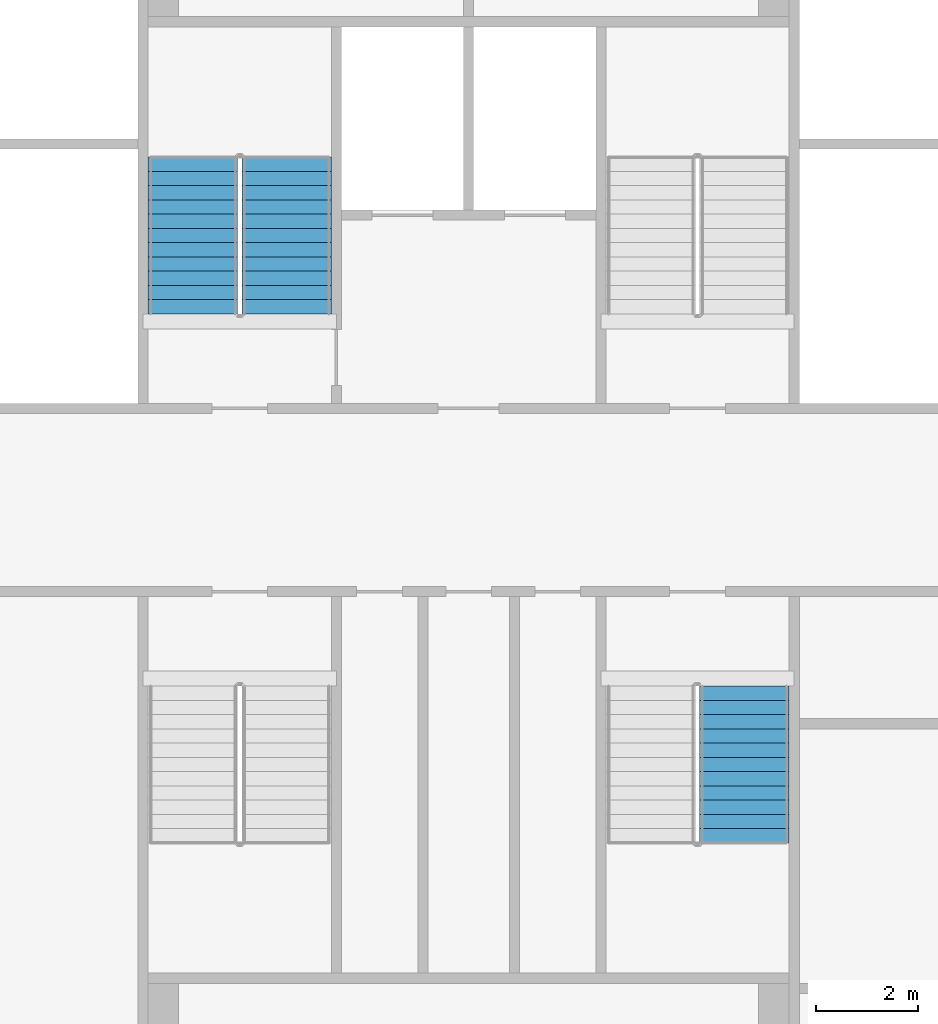
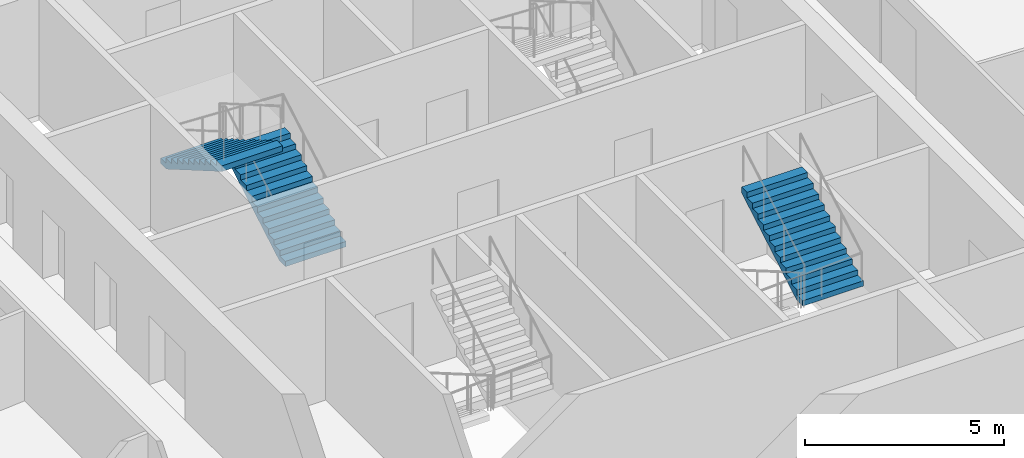
# One storey, part 17 of 23: 3 stair flights, 2 elements without a shape of their own.
"""IFC4 building model written with IfcOpenShell, lengths in metres."""

import ifcopenshell
import ifcopenshell.guid

model = None  # the IFC model being written
_history = None  # IfcOwnerHistory: only IFC2X3 demands one
_inside = {}  # id of a spatial element -> (the spatial element, [elements in it])
_under = {}  # id of a project, library or spatial element -> (it, [spatial elements below it])
_declared = {}  # id of a project -> (the project, [libraries it declares])
_typed = {}  # id of a type object -> (the type object, [elements of that type])
_made_of = {}  # id of a material, layer set ... -> (it, [elements and type objects made of it])


def new_model(schema):
    """Start an empty IFC model of exactly this schema.

    Asked for "IFC4X3", IfcOpenShell would pick the latest addendum, in which some entities
    have other attributes; the version numbers below select the first issue.
    IFC2X3 requires an IfcOwnerHistory on every rooted entity: one is made here for all.
    """
    global model, _history
    if schema == "IFC4X3":
        model = ifcopenshell.file(schema_version=(4, 3, 0, 0))
    else:
        model = ifcopenshell.file(schema=schema)
    _inside.clear()
    _under.clear()
    _declared.clear()
    _typed.clear()
    _made_of.clear()
    _history = None
    if model.schema == "IFC2X3":
        org = make("IfcOrganization", Name="unknown")
        user = make(
            "IfcPersonAndOrganization",
            ThePerson=make("IfcPerson", FamilyName="unknown"),
            TheOrganization=org,
        )
        app = make(
            "IfcApplication",
            ApplicationDeveloper=org,
            Version="unknown",
            ApplicationFullName="unknown",
            ApplicationIdentifier="unknown",
        )
        _history = make(
            "IfcOwnerHistory",
            OwningUser=user,
            OwningApplication=app,
            ChangeAction="ADDED",
            CreationDate=0,
        )
    return model


def make(cls, **values):
    """One entity of the class cls with the attributes given. An attribute that is None is left unset."""
    return model.create_entity(
        cls, **{name: value for name, value in values.items() if value is not None}
    )


def rooted(cls, **values):
    """An entity with a GlobalId (a new one), such as an element, a storey or a relation."""
    return make(cls, GlobalId=ifcopenshell.guid.new(), OwnerHistory=_history, **values)


def si_unit(unit_type, name, prefix=None):
    """IfcSIUnit, for example si_unit("LENGTHUNIT", "METRE", prefix="MILLI")."""
    return make("IfcSIUnit", UnitType=unit_type, Prefix=prefix, Name=name)


def assignment(units):
    """IfcUnitAssignment: the units of a project."""
    return None if units is None else make("IfcUnitAssignment", Units=units)


def point(xyz):
    """IfcCartesianPoint."""
    return None if xyz is None else make("IfcCartesianPoint", Coordinates=xyz)


def direction(xyz):
    """IfcDirection."""
    return None if xyz is None else make("IfcDirection", DirectionRatios=xyz)


def frame(location, z_axis=None, x_axis=None):
    """IfcAxis2Placement3D, a coordinate frame: its origin and axes. An axis left out is left unset."""
    return make(
        "IfcAxis2Placement3D",
        Location=point(location),
        Axis=direction(z_axis),
        RefDirection=direction(x_axis),
    )


def origin():
    """The frame at (0, 0, 0) with its axes left unset."""
    return frame((0.0, 0.0, 0.0))


def place(relative_to, where):
    """IfcLocalPlacement: puts the frame where relative to a parent placement (None: the world)."""
    return make(
        "IfcLocalPlacement", PlacementRelTo=relative_to, RelativePlacement=where
    )


def context(
    kind, dimensions, precision=None, world=None, true_north=None, identifier=None
):
    """IfcGeometricRepresentationContext, for example the 3D "Model" context."""
    return make(
        "IfcGeometricRepresentationContext",
        ContextIdentifier=identifier,
        ContextType=kind,
        CoordinateSpaceDimension=dimensions,
        Precision=precision,
        WorldCoordinateSystem=world,
        TrueNorth=true_north,
    )


def subcontext(parent, identifier, kind, view, scale=None):
    """IfcGeometricRepresentationSubContext, for example "Body" below "Model"."""
    return make(
        "IfcGeometricRepresentationSubContext",
        ContextIdentifier=identifier,
        ContextType=kind,
        ParentContext=parent,
        TargetScale=scale,
        TargetView=view,
    )


def project(units=None, contexts=None):
    """IfcProject with its units and contexts."""
    return rooted(
        "IfcProject",
        Name="project",
        RepresentationContexts=contexts,
        UnitsInContext=assignment(units),
    )


def spatial(cls, under=None, at=None, **own):
    """A site, building, storey or space (cls), placed at a placement, below another one or the project."""
    s = rooted(cls, ObjectPlacement=at, **own)
    if under is not None:
        _under.setdefault(under.id(), (under, []))[1].append(s)
    return s


def faces_of(points, faces, orient=None, outer=None):
    """IfcFace entities. A face is a list of loops; a loop is a list of indices into points, from 0.

    orient and outer hold one flag for each loop. By default every Orientation is true, the
    first loop of a face is its IfcFaceOuterBound and the others are IfcFaceBound.
    """
    made = []
    for i, loops in enumerate(faces):
        bounds = []
        for j, loop in enumerate(loops):
            is_outer = j == 0 if outer is None else outer[i][j]
            bounds.append(
                make(
                    "IfcFaceOuterBound" if is_outer else "IfcFaceBound",
                    Bound=make("IfcPolyLoop", Polygon=[points[k] for k in loop]),
                    Orientation=True if orient is None else orient[i][j],
                )
            )
        made.append(make("IfcFace", Bounds=bounds))
    return made


def faceted_brep(points, faces, orient=None, outer=None, voids=None):
    """IfcFacetedBrep: a solid bounded by flat faces; with voids (closed shells), ...WithVoids."""
    shared = [point(p) for p in points]
    hull = make("IfcClosedShell", CfsFaces=faces_of(shared, faces, orient, outer))
    if voids is None:
        return make("IfcFacetedBrep", Outer=hull)
    return make(
        "IfcFacetedBrepWithVoids",
        Outer=hull,
        Voids=[
            make(cls, CfsFaces=faces_of(shared, fs, o, b)) for cls, fs, o, b in voids
        ],
    )


def shape(context_of_items, identifier, shape_type, items):
    """IfcShapeRepresentation: the items that make up one representation, for example the "Body"."""
    return make(
        "IfcShapeRepresentation",
        ContextOfItems=context_of_items,
        RepresentationIdentifier=identifier,
        RepresentationType=shape_type,
        Items=items,
    )


def material(Name=None, Category=None):
    """IfcMaterial."""
    return make("IfcMaterial", Name=Name, Category=Category)


def made_of(thing, what):
    """Note that an element or type object is made of a material, layer set ...; save() writes the relation."""
    if what is not None:
        _made_of.setdefault(what.id(), (what, []))[1].append(thing)
    return thing


def type_object(cls, material=None, **own):
    """A type object (cls), such as IfcWallType, which elements share."""
    return made_of(rooted(cls, **own), material)


def element(
    cls,
    number,
    at=None,
    inside=None,
    cuts=None,
    type_object=None,
    material=None,
    context=None,
    identifier="Body",
    shape_type=None,
    held_by="IfcProductDefinitionShape",
    body=None,
    shapes=None,
    **own,
):
    """One element of the class cls, such as IfcWall. Its Tag is "e" and its number.

    at: its placement. inside: the storey or other place that contains it. cuts: it is an
    opening in that element (IfcRelVoidsElement). A single representation is given by context,
    identifier, shape_type and body (its items); several are given by shapes. held_by: the class
    of the entity that holds the representations. save() writes the other relations.
    """
    e = rooted(cls, Tag="e%d" % number, ObjectPlacement=at, **own)
    if body is not None:
        shapes = [shape(context, identifier, shape_type, body)]
    if shapes is not None:
        e.Representation = make(held_by, Representations=shapes)
    if inside is not None:
        _inside.setdefault(inside.id(), (inside, []))[1].append(e)
    if cuts is not None:
        rooted(
            "IfcRelVoidsElement", RelatingBuildingElement=cuts, RelatedOpeningElement=e
        )
    if type_object is not None:
        _typed.setdefault(type_object.id(), (type_object, []))[1].append(e)
    return made_of(e, material)


def aggregate(whole, parts):
    """IfcRelAggregates: a whole, such as a stair, and the parts it consists of."""
    return rooted("IfcRelAggregates", RelatingObject=whole, RelatedObjects=parts)


def save(model, path):
    """Write the relations noted so far, then the file.

    IfcRelAggregates (storeys below a building ...), IfcRelContainedInSpatialStructure (elements
    in a storey), IfcRelDefinesByType, IfcRelAssociatesMaterial and IfcRelDeclares: one each for
    every whole, place, type object, material and project.
    """
    for whole, parts in _under.values():
        aggregate(whole, parts)
    for where, things in _inside.values():
        rooted(
            "IfcRelContainedInSpatialStructure",
            RelatedElements=things,
            RelatingStructure=where,
        )
    for kind, things in _typed.values():
        rooted("IfcRelDefinesByType", RelatedObjects=things, RelatingType=kind)
    for what, things in _made_of.values():
        rooted("IfcRelAssociatesMaterial", RelatedObjects=things, RelatingMaterial=what)
    for by, libraries in _declared.values():
        rooted("IfcRelDeclares", RelatingContext=by, RelatedDefinitions=libraries)
    model.write(path)


model = new_model("IFC4")

# Units and contexts
model_context = context("Model", 3, precision=1e-05, world=origin(), true_north=direction((0.0, 1.0)))
body_context = subcontext(model_context, "Body", "Model", "MODEL_VIEW")
ifc_project = project(units=[si_unit("LENGTHUNIT", "METRE"), si_unit("AREAUNIT", "SQUARE_METRE"), si_unit("VOLUMEUNIT", "CUBIC_METRE"), si_unit("PLANEANGLEUNIT", "RADIAN"), si_unit("MASSUNIT", "GRAM", prefix="KILO")], contexts=[model_context])

# Site, building, storey
site_placement = place(None, origin())
site = spatial("IfcSite", under=ifc_project, at=site_placement, CompositionType="ELEMENT")
building_placement = place(site_placement, origin())
building = spatial("IfcBuilding", under=site, at=building_placement, Name="Tarsis Ring Headquarters", CompositionType="ELEMENT")
storey_placement = place(building_placement, frame((0.0, 0.0, 308.0)))
storey = spatial("IfcBuildingStorey", under=building, at=storey_placement, Name="L72", CompositionType="ELEMENT", Elevation=308.0)

# Stair, stair flights
ifc_material_1 = material(Name="Core stair 1760")
stair_type = type_object("IfcStairType", Name="Core stair 1760", PredefinedType="HALF_TURN_STAIR", material=ifc_material_1)
stair_1_placement = place(storey_placement, origin())
stair_1 = element("IfcStair", 1, at=stair_1_placement, inside=storey, type_object=stair_type, Name="L72 Firefighting stair", PredefinedType="HALF_TURN_STAIR")
ifc_material_2 = material(Name="Concrete C40/50", Category="concrete")
stair_flight_type = type_object("IfcStairFlightType", Name="Core stair flight 1760", PredefinedType="STRAIGHT", material=ifc_material_2)
stair_flight_1_placement = place(storey_placement, frame((-3.580078125, 3.659912109375, 0.0), z_axis=(0.0, 0.0, 1.0), x_axis=(0.0, 1.0, 0.0)))
stair_flight_1 = element("IfcStairFlight", 2, at=stair_flight_1_placement, type_object=stair_flight_type, Name="Stair ST1 flight 1", NumberOfRisers=12, NumberOfTreads=11, PredefinedType="STRAIGHT", RiserHeight=0.1625, TreadLength=0.28, context=body_context, shape_type="Brep", body=[
    faceted_brep([(0.0, 0.8798828125, 0.0), (0.0, 0.8798828125, 0.16259765625), (0.280029296875, 0.8798828125, 0.16259765625), (0.280029296875, 0.8798828125, 0.324951171875), (0.56005859375, 0.8798828125, 0.324951171875), (0.56005859375, 0.8798828125, 0.487548828125), (0.840087890625, 0.8798828125, 0.487548828125), (0.840087890625, 0.8798828125, 0.64990234375), (1.1201171875, 0.8798828125, 0.64990234375), (1.1201171875, 0.8798828125, 0.8125), (1.39990234375, 0.8798828125, 0.8125), (1.39990234375, 0.8798828125, 0.97509765625), (1.679931640625, 0.8798828125, 0.97509765625), (1.679931640625, 0.8798828125, 1.137451171875), (1.9599609375, 0.8798828125, 1.137451171875), (1.9599609375, 0.8798828125, 1.300048828125), (2.239990234375, 0.8798828125, 1.300048828125), (2.239990234375, 0.8798828125, 1.46240234375), (2.52001953125, 0.8798828125, 1.46240234375), (2.52001953125, 0.8798828125, 1.625), (2.800048828125, 0.8798828125, 1.625), (2.800048828125, 0.8798828125, 1.78759765625), (3.080078125, 0.8798828125, 1.78759765625), (3.080078125, 0.8798828125, 1.6142578125), (0.298583984375, 0.8798828125, 0.0), (0.298583984375, -0.8798828125, 0.0), (3.080078125, -0.8798828125, 1.6142578125), (3.080078125, -0.8798828125, 1.78759765625), (2.800048828125, -0.8798828125, 1.78759765625), (2.800048828125, -0.8798828125, 1.625), (2.52001953125, -0.8798828125, 1.625), (2.52001953125, -0.8798828125, 1.46240234375), (2.239990234375, -0.8798828125, 1.46240234375), (2.239990234375, -0.8798828125, 1.300048828125), (1.9599609375, -0.8798828125, 1.300048828125), (1.9599609375, -0.8798828125, 1.137451171875), (1.679931640625, -0.8798828125, 1.137451171875), (1.679931640625, -0.8798828125, 0.97509765625), (1.39990234375, -0.8798828125, 0.97509765625), (1.39990234375, -0.8798828125, 0.8125), (1.1201171875, -0.8798828125, 0.8125), (1.1201171875, -0.8798828125, 0.64990234375), (0.840087890625, -0.8798828125, 0.64990234375), (0.840087890625, -0.8798828125, 0.487548828125), (0.56005859375, -0.8798828125, 0.487548828125), (0.56005859375, -0.8798828125, 0.324951171875), (0.280029296875, -0.8798828125, 0.324951171875), (0.280029296875, -0.8798828125, 0.16259765625), (0.0, -0.8798828125, 0.16259765625), (0.0, -0.8798828125, 0.0), (0.0, -0.43994140625, 0.16259765625), (0.0, -0.43994140625, 0.0), (0.0, 0.0, 0.16259765625), (0.0, 0.0, 0.0), (0.0, 0.43994140625, 0.16259765625), (0.0, 0.43994140625, 0.0), (0.280029296875, -0.43994140625, 0.16259765625), (0.280029296875, 0.0, 0.16259765625), (0.280029296875, 0.43994140625, 0.16259765625), (0.280029296875, -0.43994140625, 0.324951171875), (0.280029296875, 0.0, 0.324951171875), (0.280029296875, 0.43994140625, 0.324951171875), (0.56005859375, -0.43994140625, 0.324951171875), (0.56005859375, 0.0, 0.324951171875), (0.56005859375, 0.43994140625, 0.324951171875), (0.56005859375, -0.43994140625, 0.487548828125), (0.56005859375, 0.0, 0.487548828125), (0.56005859375, 0.43994140625, 0.487548828125), (0.840087890625, -0.43994140625, 0.487548828125), (0.840087890625, 0.0, 0.487548828125), (0.840087890625, 0.43994140625, 0.487548828125), (0.840087890625, -0.43994140625, 0.64990234375), (0.840087890625, 0.0, 0.64990234375), (0.840087890625, 0.43994140625, 0.64990234375), (1.1201171875, -0.43994140625, 0.64990234375), (1.1201171875, 0.0, 0.64990234375), (1.1201171875, 0.43994140625, 0.64990234375), (1.1201171875, -0.43994140625, 0.8125), (1.1201171875, 0.0, 0.8125), (1.1201171875, 0.43994140625, 0.8125), (1.39990234375, -0.43994140625, 0.8125), (1.39990234375, 0.0, 0.8125), (1.39990234375, 0.43994140625, 0.8125), (1.39990234375, -0.43994140625, 0.97509765625), (1.39990234375, 0.0, 0.97509765625), (1.39990234375, 0.43994140625, 0.97509765625), (1.679931640625, -0.43994140625, 0.97509765625), (1.679931640625, 0.0, 0.97509765625), (1.679931640625, 0.43994140625, 0.97509765625), (1.679931640625, -0.43994140625, 1.137451171875), (1.679931640625, 0.0, 1.137451171875), (1.679931640625, 0.43994140625, 1.137451171875), (1.9599609375, -0.43994140625, 1.137451171875), (1.9599609375, 0.0, 1.137451171875), (1.9599609375, 0.43994140625, 1.137451171875), (1.9599609375, -0.43994140625, 1.300048828125), (1.9599609375, 0.0, 1.300048828125), (1.9599609375, 0.43994140625, 1.300048828125), (2.239990234375, -0.43994140625, 1.300048828125), (2.239990234375, 0.0, 1.300048828125), (2.239990234375, 0.43994140625, 1.300048828125), (2.239990234375, -0.43994140625, 1.46240234375), (2.239990234375, 0.0, 1.46240234375), (2.239990234375, 0.43994140625, 1.46240234375), (2.52001953125, -0.43994140625, 1.46240234375), (2.52001953125, 0.0, 1.46240234375), (2.52001953125, 0.43994140625, 1.46240234375), (2.52001953125, -0.43994140625, 1.625), (2.52001953125, 0.0, 1.625), (2.52001953125, 0.43994140625, 1.625), (2.800048828125, -0.43994140625, 1.625), (2.800048828125, 0.0, 1.625), (2.800048828125, 0.43994140625, 1.625), (2.800048828125, -0.43994140625, 1.78759765625), (2.800048828125, 0.0, 1.78759765625), (2.800048828125, 0.43994140625, 1.78759765625), (3.080078125, -0.43994140625, 1.78759765625), (3.080078125, 0.0, 1.78759765625), (3.080078125, 0.43994140625, 1.78759765625), (3.080078125, -0.43994140625, 1.6142578125), (3.080078125, 0.0, 1.6142578125), (3.080078125, 0.43994140625, 1.6142578125), (0.298583984375, -0.43994140625, 0.0), (0.298583984375, 0.0, 0.0), (0.298583984375, 0.43994140625, 0.0)], [[[0, 1, 2, 3, 4, 5, 6, 7, 8, 9, 10, 11, 12, 13, 14, 15, 16, 17, 18, 19, 20, 21, 22, 23, 24]], [[25, 26, 27, 28, 29, 30, 31, 32, 33, 34, 35, 36, 37, 38, 39, 40, 41, 42, 43, 44, 45, 46, 47, 48, 49]], [[49, 48, 50, 51]], [[51, 50, 52, 53]], [[53, 52, 54, 55]], [[55, 54, 1, 0]], [[48, 47, 56, 50]], [[50, 56, 57, 52]], [[52, 57, 58, 54]], [[54, 58, 2, 1]], [[47, 46, 59, 56]], [[56, 59, 60, 57]], [[57, 60, 61, 58]], [[58, 61, 3, 2]], [[46, 45, 62, 59]], [[59, 62, 63, 60]], [[60, 63, 64, 61]], [[61, 64, 4, 3]], [[45, 44, 65, 62]], [[62, 65, 66, 63]], [[63, 66, 67, 64]], [[64, 67, 5, 4]], [[44, 43, 68, 65]], [[65, 68, 69, 66]], [[66, 69, 70, 67]], [[67, 70, 6, 5]], [[43, 42, 71, 68]], [[68, 71, 72, 69]], [[69, 72, 73, 70]], [[70, 73, 7, 6]], [[42, 41, 74, 71]], [[71, 74, 75, 72]], [[72, 75, 76, 73]], [[73, 76, 8, 7]], [[41, 40, 77, 74]], [[74, 77, 78, 75]], [[75, 78, 79, 76]], [[76, 79, 9, 8]], [[40, 39, 80, 77]], [[77, 80, 81, 78]], [[78, 81, 82, 79]], [[79, 82, 10, 9]], [[39, 38, 83, 80]], [[80, 83, 84, 81]], [[81, 84, 85, 82]], [[82, 85, 11, 10]], [[38, 37, 86, 83]], [[83, 86, 87, 84]], [[84, 87, 88, 85]], [[85, 88, 12, 11]], [[37, 36, 89, 86]], [[86, 89, 90, 87]], [[87, 90, 91, 88]], [[88, 91, 13, 12]], [[36, 35, 92, 89]], [[89, 92, 93, 90]], [[90, 93, 94, 91]], [[91, 94, 14, 13]], [[35, 34, 95, 92]], [[92, 95, 96, 93]], [[93, 96, 97, 94]], [[94, 97, 15, 14]], [[34, 33, 98, 95]], [[95, 98, 99, 96]], [[96, 99, 100, 97]], [[97, 100, 16, 15]], [[33, 32, 101, 98]], [[98, 101, 102, 99]], [[99, 102, 103, 100]], [[100, 103, 17, 16]], [[32, 31, 104, 101]], [[101, 104, 105, 102]], [[102, 105, 106, 103]], [[103, 106, 18, 17]], [[31, 30, 107, 104]], [[104, 107, 108, 105]], [[105, 108, 109, 106]], [[106, 109, 19, 18]], [[30, 29, 110, 107]], [[107, 110, 111, 108]], [[108, 111, 112, 109]], [[109, 112, 20, 19]], [[29, 28, 113, 110]], [[110, 113, 114, 111]], [[111, 114, 115, 112]], [[112, 115, 21, 20]], [[28, 27, 116, 113]], [[113, 116, 117, 114]], [[114, 117, 118, 115]], [[115, 118, 22, 21]], [[27, 26, 119, 116]], [[116, 119, 120, 117]], [[117, 120, 121, 118]], [[118, 121, 23, 22]], [[26, 25, 122, 119]], [[119, 122, 123, 120]], [[120, 123, 124, 121]], [[121, 124, 24, 23]], [[25, 49, 51, 122]], [[122, 51, 53, 123]], [[123, 53, 55, 124]], [[124, 55, 0, 24]]]),
])
stair_flight_2_placement = place(storey_placement, frame((-5.419921875, 6.739990234375, 1.949951171875), z_axis=(0.0, 0.0, 1.0), x_axis=(0.0, -1.0, 0.0)))
stair_flight_2 = element("IfcStairFlight", 3, at=stair_flight_2_placement, type_object=stair_flight_type, Name="Stair ST1 flight 2", NumberOfRisers=12, NumberOfTreads=11, PredefinedType="STRAIGHT", RiserHeight=0.1625, TreadLength=0.28, context=body_context, shape_type="Brep", body=[
    faceted_brep([(0.0, 0.8798828125, 0.0), (0.0, 0.8798828125, 0.16259765625), (0.280029296875, 0.8798828125, 0.16259765625), (0.280029296875, 0.8798828125, 0.324951171875), (0.56005859375, 0.8798828125, 0.324951171875), (0.56005859375, 0.8798828125, 0.487548828125), (0.840087890625, 0.8798828125, 0.487548828125), (0.840087890625, 0.8798828125, 0.64990234375), (1.1201171875, 0.8798828125, 0.64990234375), (1.1201171875, 0.8798828125, 0.8125), (1.39990234375, 0.8798828125, 0.8125), (1.39990234375, 0.8798828125, 0.97509765625), (1.679931640625, 0.8798828125, 0.97509765625), (1.679931640625, 0.8798828125, 1.137451171875), (1.9599609375, 0.8798828125, 1.137451171875), (1.9599609375, 0.8798828125, 1.300048828125), (2.239990234375, 0.8798828125, 1.300048828125), (2.239990234375, 0.8798828125, 1.46240234375), (2.52001953125, 0.8798828125, 1.46240234375), (2.52001953125, 0.8798828125, 1.625), (2.800048828125, 0.8798828125, 1.625), (2.800048828125, 0.8798828125, 1.78759765625), (3.080078125, 0.8798828125, 1.78759765625), (3.080078125, 0.8798828125, 1.6142578125), (0.298583984375, 0.8798828125, 0.0), (0.298583984375, -0.8798828125, 0.0), (3.080078125, -0.8798828125, 1.6142578125), (3.080078125, -0.8798828125, 1.78759765625), (2.800048828125, -0.8798828125, 1.78759765625), (2.800048828125, -0.8798828125, 1.625), (2.52001953125, -0.8798828125, 1.625), (2.52001953125, -0.8798828125, 1.46240234375), (2.239990234375, -0.8798828125, 1.46240234375), (2.239990234375, -0.8798828125, 1.300048828125), (1.9599609375, -0.8798828125, 1.300048828125), (1.9599609375, -0.8798828125, 1.137451171875), (1.679931640625, -0.8798828125, 1.137451171875), (1.679931640625, -0.8798828125, 0.97509765625), (1.39990234375, -0.8798828125, 0.97509765625), (1.39990234375, -0.8798828125, 0.8125), (1.1201171875, -0.8798828125, 0.8125), (1.1201171875, -0.8798828125, 0.64990234375), (0.840087890625, -0.8798828125, 0.64990234375), (0.840087890625, -0.8798828125, 0.487548828125), (0.56005859375, -0.8798828125, 0.487548828125), (0.56005859375, -0.8798828125, 0.324951171875), (0.280029296875, -0.8798828125, 0.324951171875), (0.280029296875, -0.8798828125, 0.16259765625), (0.0, -0.8798828125, 0.16259765625), (0.0, -0.8798828125, 0.0), (0.0, -0.43994140625, 0.16259765625), (0.0, -0.43994140625, 0.0), (0.0, 0.0, 0.16259765625), (0.0, 0.0, 0.0), (0.0, 0.43994140625, 0.16259765625), (0.0, 0.43994140625, 0.0), (0.280029296875, -0.43994140625, 0.16259765625), (0.280029296875, 0.0, 0.16259765625), (0.280029296875, 0.43994140625, 0.16259765625), (0.280029296875, -0.43994140625, 0.324951171875), (0.280029296875, 0.0, 0.324951171875), (0.280029296875, 0.43994140625, 0.324951171875), (0.56005859375, -0.43994140625, 0.324951171875), (0.56005859375, 0.0, 0.324951171875), (0.56005859375, 0.43994140625, 0.324951171875), (0.56005859375, -0.43994140625, 0.487548828125), (0.56005859375, 0.0, 0.487548828125), (0.56005859375, 0.43994140625, 0.487548828125), (0.840087890625, -0.43994140625, 0.487548828125), (0.840087890625, 0.0, 0.487548828125), (0.840087890625, 0.43994140625, 0.487548828125), (0.840087890625, -0.43994140625, 0.64990234375), (0.840087890625, 0.0, 0.64990234375), (0.840087890625, 0.43994140625, 0.64990234375), (1.1201171875, -0.43994140625, 0.64990234375), (1.1201171875, 0.0, 0.64990234375), (1.1201171875, 0.43994140625, 0.64990234375), (1.1201171875, -0.43994140625, 0.8125), (1.1201171875, 0.0, 0.8125), (1.1201171875, 0.43994140625, 0.8125), (1.39990234375, -0.43994140625, 0.8125), (1.39990234375, 0.0, 0.8125), (1.39990234375, 0.43994140625, 0.8125), (1.39990234375, -0.43994140625, 0.97509765625), (1.39990234375, 0.0, 0.97509765625), (1.39990234375, 0.43994140625, 0.97509765625), (1.679931640625, -0.43994140625, 0.97509765625), (1.679931640625, 0.0, 0.97509765625), (1.679931640625, 0.43994140625, 0.97509765625), (1.679931640625, -0.43994140625, 1.137451171875), (1.679931640625, 0.0, 1.137451171875), (1.679931640625, 0.43994140625, 1.137451171875), (1.9599609375, -0.43994140625, 1.137451171875), (1.9599609375, 0.0, 1.137451171875), (1.9599609375, 0.43994140625, 1.137451171875), (1.9599609375, -0.43994140625, 1.300048828125), (1.9599609375, 0.0, 1.300048828125), (1.9599609375, 0.43994140625, 1.300048828125), (2.239990234375, -0.43994140625, 1.300048828125), (2.239990234375, 0.0, 1.300048828125), (2.239990234375, 0.43994140625, 1.300048828125), (2.239990234375, -0.43994140625, 1.46240234375), (2.239990234375, 0.0, 1.46240234375), (2.239990234375, 0.43994140625, 1.46240234375), (2.52001953125, -0.43994140625, 1.46240234375), (2.52001953125, 0.0, 1.46240234375), (2.52001953125, 0.43994140625, 1.46240234375), (2.52001953125, -0.43994140625, 1.625), (2.52001953125, 0.0, 1.625), (2.52001953125, 0.43994140625, 1.625), (2.800048828125, -0.43994140625, 1.625), (2.800048828125, 0.0, 1.625), (2.800048828125, 0.43994140625, 1.625), (2.800048828125, -0.43994140625, 1.78759765625), (2.800048828125, 0.0, 1.78759765625), (2.800048828125, 0.43994140625, 1.78759765625), (3.080078125, -0.43994140625, 1.78759765625), (3.080078125, 0.0, 1.78759765625), (3.080078125, 0.43994140625, 1.78759765625), (3.080078125, -0.43994140625, 1.6142578125), (3.080078125, 0.0, 1.6142578125), (3.080078125, 0.43994140625, 1.6142578125), (0.298583984375, -0.43994140625, 0.0), (0.298583984375, 0.0, 0.0), (0.298583984375, 0.43994140625, 0.0)], [[[0, 1, 2, 3, 4, 5, 6, 7, 8, 9, 10, 11, 12, 13, 14, 15, 16, 17, 18, 19, 20, 21, 22, 23, 24]], [[25, 26, 27, 28, 29, 30, 31, 32, 33, 34, 35, 36, 37, 38, 39, 40, 41, 42, 43, 44, 45, 46, 47, 48, 49]], [[49, 48, 50, 51]], [[51, 50, 52, 53]], [[53, 52, 54, 55]], [[55, 54, 1, 0]], [[48, 47, 56, 50]], [[50, 56, 57, 52]], [[52, 57, 58, 54]], [[54, 58, 2, 1]], [[47, 46, 59, 56]], [[56, 59, 60, 57]], [[57, 60, 61, 58]], [[58, 61, 3, 2]], [[46, 45, 62, 59]], [[59, 62, 63, 60]], [[60, 63, 64, 61]], [[61, 64, 4, 3]], [[45, 44, 65, 62]], [[62, 65, 66, 63]], [[63, 66, 67, 64]], [[64, 67, 5, 4]], [[44, 43, 68, 65]], [[65, 68, 69, 66]], [[66, 69, 70, 67]], [[67, 70, 6, 5]], [[43, 42, 71, 68]], [[68, 71, 72, 69]], [[69, 72, 73, 70]], [[70, 73, 7, 6]], [[42, 41, 74, 71]], [[71, 74, 75, 72]], [[72, 75, 76, 73]], [[73, 76, 8, 7]], [[41, 40, 77, 74]], [[74, 77, 78, 75]], [[75, 78, 79, 76]], [[76, 79, 9, 8]], [[40, 39, 80, 77]], [[77, 80, 81, 78]], [[78, 81, 82, 79]], [[79, 82, 10, 9]], [[39, 38, 83, 80]], [[80, 83, 84, 81]], [[81, 84, 85, 82]], [[82, 85, 11, 10]], [[38, 37, 86, 83]], [[83, 86, 87, 84]], [[84, 87, 88, 85]], [[85, 88, 12, 11]], [[37, 36, 89, 86]], [[86, 89, 90, 87]], [[87, 90, 91, 88]], [[88, 91, 13, 12]], [[36, 35, 92, 89]], [[89, 92, 93, 90]], [[90, 93, 94, 91]], [[91, 94, 14, 13]], [[35, 34, 95, 92]], [[92, 95, 96, 93]], [[93, 96, 97, 94]], [[94, 97, 15, 14]], [[34, 33, 98, 95]], [[95, 98, 99, 96]], [[96, 99, 100, 97]], [[97, 100, 16, 15]], [[33, 32, 101, 98]], [[98, 101, 102, 99]], [[99, 102, 103, 100]], [[100, 103, 17, 16]], [[32, 31, 104, 101]], [[101, 104, 105, 102]], [[102, 105, 106, 103]], [[103, 106, 18, 17]], [[31, 30, 107, 104]], [[104, 107, 108, 105]], [[105, 108, 109, 106]], [[106, 109, 19, 18]], [[30, 29, 110, 107]], [[107, 110, 111, 108]], [[108, 111, 112, 109]], [[109, 112, 20, 19]], [[29, 28, 113, 110]], [[110, 113, 114, 111]], [[111, 114, 115, 112]], [[112, 115, 21, 20]], [[28, 27, 116, 113]], [[113, 116, 117, 114]], [[114, 117, 118, 115]], [[115, 118, 22, 21]], [[27, 26, 119, 116]], [[116, 119, 120, 117]], [[117, 120, 121, 118]], [[118, 121, 23, 22]], [[26, 25, 122, 119]], [[119, 122, 123, 120]], [[120, 123, 124, 121]], [[121, 124, 24, 23]], [[25, 49, 51, 122]], [[122, 51, 53, 123]], [[123, 53, 55, 124]], [[124, 55, 0, 24]]]),
])
aggregate(stair_1, [stair_flight_1, stair_flight_2])

# Stair, stair flight
stair_2_placement = place(storey_placement, origin())
stair_2 = element("IfcStair", 4, at=stair_2_placement, inside=storey, type_object=stair_type, Name="L72 Exit stair D", PredefinedType="HALF_TURN_STAIR")
stair_flight_3_placement = place(storey_placement, frame((5.419921875, -6.739990234375, 1.949951171875), z_axis=(0.0, 0.0, 1.0), x_axis=(0.0, 1.0, 0.0)))
stair_flight_3 = element("IfcStairFlight", 5, at=stair_flight_3_placement, type_object=stair_flight_type, Name="Stair ST4 flight 2", NumberOfRisers=12, NumberOfTreads=11, PredefinedType="STRAIGHT", RiserHeight=0.1625, TreadLength=0.28, context=body_context, shape_type="Brep", body=[
    faceted_brep([(0.0, 0.8798828125, 0.0), (0.0, 0.8798828125, 0.16259765625), (0.280029296875, 0.8798828125, 0.16259765625), (0.280029296875, 0.8798828125, 0.324951171875), (0.56005859375, 0.8798828125, 0.324951171875), (0.56005859375, 0.8798828125, 0.487548828125), (0.840087890625, 0.8798828125, 0.487548828125), (0.840087890625, 0.8798828125, 0.64990234375), (1.1201171875, 0.8798828125, 0.64990234375), (1.1201171875, 0.8798828125, 0.8125), (1.39990234375, 0.8798828125, 0.8125), (1.39990234375, 0.8798828125, 0.97509765625), (1.679931640625, 0.8798828125, 0.97509765625), (1.679931640625, 0.8798828125, 1.137451171875), (1.9599609375, 0.8798828125, 1.137451171875), (1.9599609375, 0.8798828125, 1.300048828125), (2.239990234375, 0.8798828125, 1.300048828125), (2.239990234375, 0.8798828125, 1.46240234375), (2.52001953125, 0.8798828125, 1.46240234375), (2.52001953125, 0.8798828125, 1.625), (2.800048828125, 0.8798828125, 1.625), (2.800048828125, 0.8798828125, 1.78759765625), (3.080078125, 0.8798828125, 1.78759765625), (3.080078125, 0.8798828125, 1.6142578125), (0.298583984375, 0.8798828125, 0.0), (0.298583984375, -0.8798828125, 0.0), (3.080078125, -0.8798828125, 1.6142578125), (3.080078125, -0.8798828125, 1.78759765625), (2.800048828125, -0.8798828125, 1.78759765625), (2.800048828125, -0.8798828125, 1.625), (2.52001953125, -0.8798828125, 1.625), (2.52001953125, -0.8798828125, 1.46240234375), (2.239990234375, -0.8798828125, 1.46240234375), (2.239990234375, -0.8798828125, 1.300048828125), (1.9599609375, -0.8798828125, 1.300048828125), (1.9599609375, -0.8798828125, 1.137451171875), (1.679931640625, -0.8798828125, 1.137451171875), (1.679931640625, -0.8798828125, 0.97509765625), (1.39990234375, -0.8798828125, 0.97509765625), (1.39990234375, -0.8798828125, 0.8125), (1.1201171875, -0.8798828125, 0.8125), (1.1201171875, -0.8798828125, 0.64990234375), (0.840087890625, -0.8798828125, 0.64990234375), (0.840087890625, -0.8798828125, 0.487548828125), (0.56005859375, -0.8798828125, 0.487548828125), (0.56005859375, -0.8798828125, 0.324951171875), (0.280029296875, -0.8798828125, 0.324951171875), (0.280029296875, -0.8798828125, 0.16259765625), (0.0, -0.8798828125, 0.16259765625), (0.0, -0.8798828125, 0.0), (0.0, -0.43994140625, 0.16259765625), (0.0, -0.43994140625, 0.0), (0.0, 0.0, 0.16259765625), (0.0, 0.0, 0.0), (0.0, 0.43994140625, 0.16259765625), (0.0, 0.43994140625, 0.0), (0.280029296875, -0.43994140625, 0.16259765625), (0.280029296875, 0.0, 0.16259765625), (0.280029296875, 0.43994140625, 0.16259765625), (0.280029296875, -0.43994140625, 0.324951171875), (0.280029296875, 0.0, 0.324951171875), (0.280029296875, 0.43994140625, 0.324951171875), (0.56005859375, -0.43994140625, 0.324951171875), (0.56005859375, 0.0, 0.324951171875), (0.56005859375, 0.43994140625, 0.324951171875), (0.56005859375, -0.43994140625, 0.487548828125), (0.56005859375, 0.0, 0.487548828125), (0.56005859375, 0.43994140625, 0.487548828125), (0.840087890625, -0.43994140625, 0.487548828125), (0.840087890625, 0.0, 0.487548828125), (0.840087890625, 0.43994140625, 0.487548828125), (0.840087890625, -0.43994140625, 0.64990234375), (0.840087890625, 0.0, 0.64990234375), (0.840087890625, 0.43994140625, 0.64990234375), (1.1201171875, -0.43994140625, 0.64990234375), (1.1201171875, 0.0, 0.64990234375), (1.1201171875, 0.43994140625, 0.64990234375), (1.1201171875, -0.43994140625, 0.8125), (1.1201171875, 0.0, 0.8125), (1.1201171875, 0.43994140625, 0.8125), (1.39990234375, -0.43994140625, 0.8125), (1.39990234375, 0.0, 0.8125), (1.39990234375, 0.43994140625, 0.8125), (1.39990234375, -0.43994140625, 0.97509765625), (1.39990234375, 0.0, 0.97509765625), (1.39990234375, 0.43994140625, 0.97509765625), (1.679931640625, -0.43994140625, 0.97509765625), (1.679931640625, 0.0, 0.97509765625), (1.679931640625, 0.43994140625, 0.97509765625), (1.679931640625, -0.43994140625, 1.137451171875), (1.679931640625, 0.0, 1.137451171875), (1.679931640625, 0.43994140625, 1.137451171875), (1.9599609375, -0.43994140625, 1.137451171875), (1.9599609375, 0.0, 1.137451171875), (1.9599609375, 0.43994140625, 1.137451171875), (1.9599609375, -0.43994140625, 1.300048828125), (1.9599609375, 0.0, 1.300048828125), (1.9599609375, 0.43994140625, 1.300048828125), (2.239990234375, -0.43994140625, 1.300048828125), (2.239990234375, 0.0, 1.300048828125), (2.239990234375, 0.43994140625, 1.300048828125), (2.239990234375, -0.43994140625, 1.46240234375), (2.239990234375, 0.0, 1.46240234375), (2.239990234375, 0.43994140625, 1.46240234375), (2.52001953125, -0.43994140625, 1.46240234375), (2.52001953125, 0.0, 1.46240234375), (2.52001953125, 0.43994140625, 1.46240234375), (2.52001953125, -0.43994140625, 1.625), (2.52001953125, 0.0, 1.625), (2.52001953125, 0.43994140625, 1.625), (2.800048828125, -0.43994140625, 1.625), (2.800048828125, 0.0, 1.625), (2.800048828125, 0.43994140625, 1.625), (2.800048828125, -0.43994140625, 1.78759765625), (2.800048828125, 0.0, 1.78759765625), (2.800048828125, 0.43994140625, 1.78759765625), (3.080078125, -0.43994140625, 1.78759765625), (3.080078125, 0.0, 1.78759765625), (3.080078125, 0.43994140625, 1.78759765625), (3.080078125, -0.43994140625, 1.6142578125), (3.080078125, 0.0, 1.6142578125), (3.080078125, 0.43994140625, 1.6142578125), (0.298583984375, -0.43994140625, 0.0), (0.298583984375, 0.0, 0.0), (0.298583984375, 0.43994140625, 0.0)], [[[0, 1, 2, 3, 4, 5, 6, 7, 8, 9, 10, 11, 12, 13, 14, 15, 16, 17, 18, 19, 20, 21, 22, 23, 24]], [[25, 26, 27, 28, 29, 30, 31, 32, 33, 34, 35, 36, 37, 38, 39, 40, 41, 42, 43, 44, 45, 46, 47, 48, 49]], [[49, 48, 50, 51]], [[51, 50, 52, 53]], [[53, 52, 54, 55]], [[55, 54, 1, 0]], [[48, 47, 56, 50]], [[50, 56, 57, 52]], [[52, 57, 58, 54]], [[54, 58, 2, 1]], [[47, 46, 59, 56]], [[56, 59, 60, 57]], [[57, 60, 61, 58]], [[58, 61, 3, 2]], [[46, 45, 62, 59]], [[59, 62, 63, 60]], [[60, 63, 64, 61]], [[61, 64, 4, 3]], [[45, 44, 65, 62]], [[62, 65, 66, 63]], [[63, 66, 67, 64]], [[64, 67, 5, 4]], [[44, 43, 68, 65]], [[65, 68, 69, 66]], [[66, 69, 70, 67]], [[67, 70, 6, 5]], [[43, 42, 71, 68]], [[68, 71, 72, 69]], [[69, 72, 73, 70]], [[70, 73, 7, 6]], [[42, 41, 74, 71]], [[71, 74, 75, 72]], [[72, 75, 76, 73]], [[73, 76, 8, 7]], [[41, 40, 77, 74]], [[74, 77, 78, 75]], [[75, 78, 79, 76]], [[76, 79, 9, 8]], [[40, 39, 80, 77]], [[77, 80, 81, 78]], [[78, 81, 82, 79]], [[79, 82, 10, 9]], [[39, 38, 83, 80]], [[80, 83, 84, 81]], [[81, 84, 85, 82]], [[82, 85, 11, 10]], [[38, 37, 86, 83]], [[83, 86, 87, 84]], [[84, 87, 88, 85]], [[85, 88, 12, 11]], [[37, 36, 89, 86]], [[86, 89, 90, 87]], [[87, 90, 91, 88]], [[88, 91, 13, 12]], [[36, 35, 92, 89]], [[89, 92, 93, 90]], [[90, 93, 94, 91]], [[91, 94, 14, 13]], [[35, 34, 95, 92]], [[92, 95, 96, 93]], [[93, 96, 97, 94]], [[94, 97, 15, 14]], [[34, 33, 98, 95]], [[95, 98, 99, 96]], [[96, 99, 100, 97]], [[97, 100, 16, 15]], [[33, 32, 101, 98]], [[98, 101, 102, 99]], [[99, 102, 103, 100]], [[100, 103, 17, 16]], [[32, 31, 104, 101]], [[101, 104, 105, 102]], [[102, 105, 106, 103]], [[103, 106, 18, 17]], [[31, 30, 107, 104]], [[104, 107, 108, 105]], [[105, 108, 109, 106]], [[106, 109, 19, 18]], [[30, 29, 110, 107]], [[107, 110, 111, 108]], [[108, 111, 112, 109]], [[109, 112, 20, 19]], [[29, 28, 113, 110]], [[110, 113, 114, 111]], [[111, 114, 115, 112]], [[112, 115, 21, 20]], [[28, 27, 116, 113]], [[113, 116, 117, 114]], [[114, 117, 118, 115]], [[115, 118, 22, 21]], [[27, 26, 119, 116]], [[116, 119, 120, 117]], [[117, 120, 121, 118]], [[118, 121, 23, 22]], [[26, 25, 122, 119]], [[119, 122, 123, 120]], [[120, 123, 124, 121]], [[121, 124, 24, 23]], [[25, 49, 51, 122]], [[122, 51, 53, 123]], [[123, 53, 55, 124]], [[124, 55, 0, 24]]]),
])
aggregate(stair_2, [stair_flight_3])

save(model, "model.ifc")
